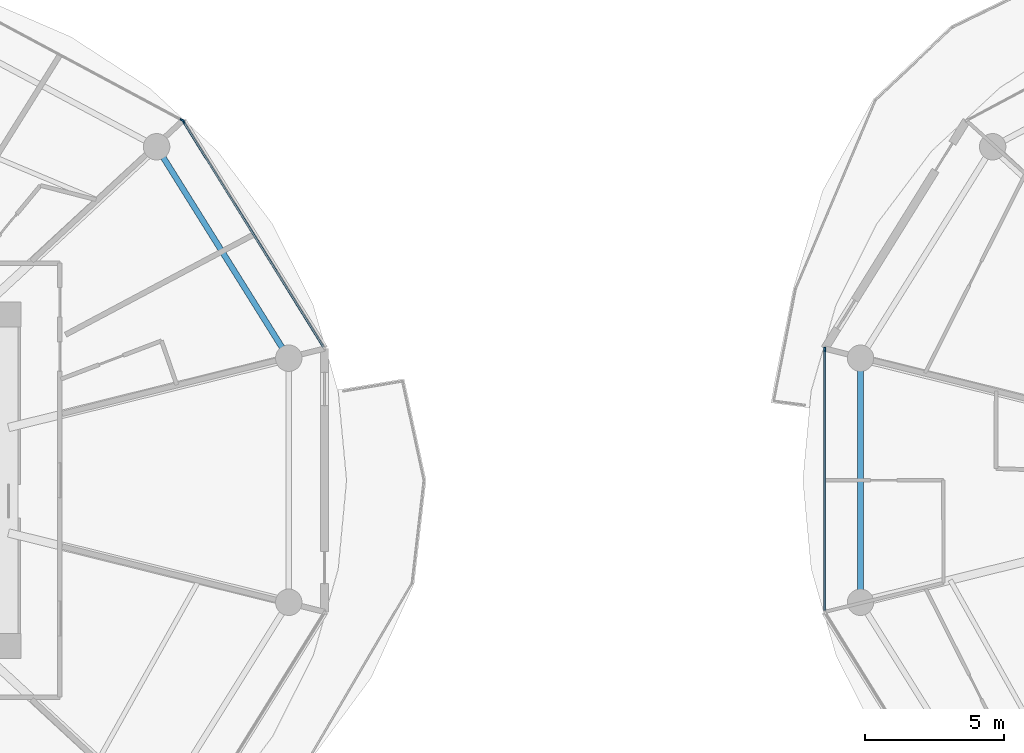
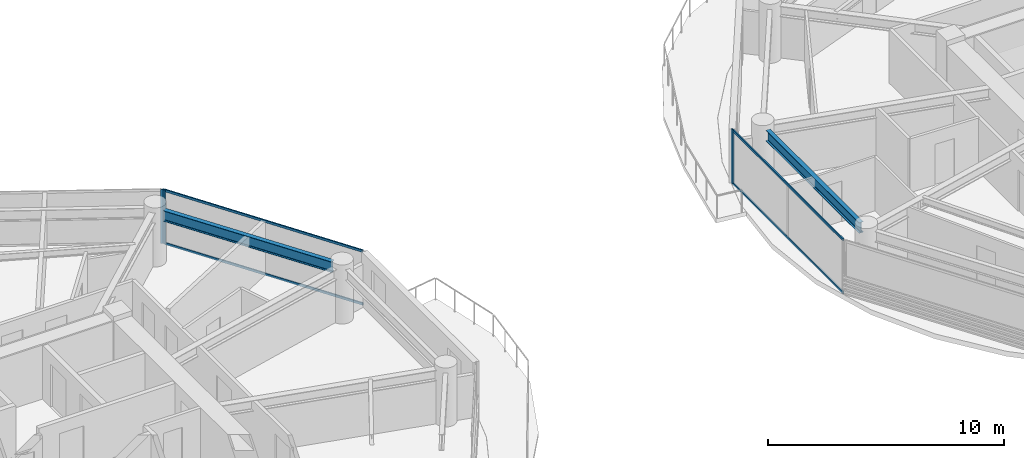
# One storey, part 7 of 27: 7 members, 2 beams, 3 elements without a shape of their own.
"""IFC4 building model written with IfcOpenShell, lengths in metres."""

from ifc_helpers import new_model, si_unit, direction, frame, origin, origin_2d, place, context, subcontext, project, spatial, rectangle, i_section, extrude, source, transform, mapped, material, layer, layer_set, material_profile, profile_set, type_object, type_shapes, element, aggregate, save


model = new_model("IFC4")

# Units and contexts
model_context = context("Model", 3, precision=1e-05, world=origin(), true_north=direction((0.0, 1.0)))
body_context = subcontext(model_context, "Body", "Model", "MODEL_VIEW")
ifc_project = project(units=[si_unit("LENGTHUNIT", "METRE"), si_unit("AREAUNIT", "SQUARE_METRE"), si_unit("VOLUMEUNIT", "CUBIC_METRE"), si_unit("PLANEANGLEUNIT", "RADIAN"), si_unit("MASSUNIT", "GRAM", prefix="KILO")], contexts=[model_context])

# Site, building, storey
site_placement = place(None, origin())
site = spatial("IfcSite", under=ifc_project, at=site_placement, CompositionType="ELEMENT")
building_placement = place(site_placement, origin())
building = spatial("IfcBuilding", under=site, at=building_placement, Name="Norrkilde Senior Care Towers", CompositionType="ELEMENT")
storey_placement = place(building_placement, frame((0.0, 0.0, 61.25)))
storey = spatial("IfcBuildingStorey", under=building, at=storey_placement, Name="L18", CompositionType="ELEMENT", Elevation=61.25)

# Beams
ifc_material_1 = material(Name="Steel S355", Category="steel")
ifc_material_profile_1 = material_profile(ifc_material_1, i_section(OverallWidth=0.2099609375, OverallDepth=0.550048828125, WebThickness=0.010986328125, FlangeThickness=0.01708984375, FilletRadius=0.02392578125, at=origin_2d()), Name="IPE 550")
ifc_profile_set_1 = profile_set([ifc_material_profile_1], Name="Steel S355")
beam_type = type_object("IfcBeamType", Name="Perimeter Ring Spandrel Z1 IPE550", PredefinedType="SPANDREL", material=ifc_profile_set_1)
shared_shape_1 = source(origin(), body_context, "Body", "SweptSolid", [
    extrude(i_section(OverallWidth=0.2099609375, OverallDepth=0.550048828125, WebThickness=0.010986328125, FlangeThickness=0.01708984375, FilletRadius=0.02392578125, at=origin_2d()), origin(), (0.0, 0.0, 1.0), 8.090576171875),
])
beam_1_placement = place(storey_placement, frame((-10.505859375, 4.755859375, 2.514892578125), z_axis=(-0.530004364821, 0.84799491347, 0.0), x_axis=(-0.84799491347, -0.530004364821, 0.0)))
element("IfcBeam", 1, at=beam_1_placement, inside=storey, type_object=beam_type, Name="L18 Drum W Perimeter Spandrel 01", PredefinedType="SPANDREL", context=body_context, shape_type="MappedRepresentation", body=[
    mapped(shared_shape_1, transform((0.0, 0.0, 0.0), x_axis=(1.0, 0.0, 0.0), y_axis=(0.0, 1.0, 0.0), z_axis=(0.0, 0.0, 1.0), scale=1.0)),
])
shared_shape_2 = source(origin(), body_context, "Body", "SweptSolid", [
    extrude(i_section(OverallWidth=0.2099609375, OverallDepth=0.550048828125, WebThickness=0.010986328125, FlangeThickness=0.01708984375, FilletRadius=0.02392578125, at=origin_2d()), origin(), (0.0, 0.0, 1.0), 7.90380859375),
])
type_shapes(beam_type, [shared_shape_1, shared_shape_2])
beam_2_placement = place(storey_placement, frame((10.275146484375, 3.951904296875, 2.514892578125), z_axis=(0.0, -1.0, 0.0), x_axis=(1.0, 0.0, 0.0)))
element("IfcBeam", 2, at=beam_2_placement, inside=storey, type_object=beam_type, Name="L18 Drum E Perimeter Spandrel 06", PredefinedType="SPANDREL", context=body_context, shape_type="MappedRepresentation", body=[
    mapped(shared_shape_2, transform((0.0, 0.0, 0.0), x_axis=(1.0, 0.0, 0.0), y_axis=(0.0, 1.0, 0.0), z_axis=(0.0, 0.0, 1.0), scale=1.0)),
])

# Curtain wall, member
ifc_material_2 = material(Name="Triple Low-E Insulated Glazing", Category="glass")
ifc_layer = layer(ifc_material_2, 0.199951171875)
ifc_layer_set = layer_set([ifc_layer], Name="Triple Low-E Insulated Glazing")
curtain_wall_type = type_object("IfcCurtainWallType", Name="CW2 Zone 1 Memory Care Curtain Wall", PredefinedType="NOTDEFINED", material=ifc_layer_set)
curtain_wall_1_placement = place(storey_placement, origin())
curtain_wall_1 = element("IfcCurtainWall", 3, at=curtain_wall_1_placement, inside=storey, type_object=curtain_wall_type, Name="L18 Drum W Curtain Wall 00", PredefinedType="NOTDEFINED")
ifc_material_3 = material(Name="Anodised Aluminium", Category="aluminium")
ifc_material_profile_2 = material_profile(ifc_material_3, rectangle(XDim=0.06494140625, YDim=0.159912109375, at=origin_2d()), Name="ALU MULL 65x160")
ifc_profile_set_2 = profile_set([ifc_material_profile_2], Name="Anodised Aluminium")
member_type_1 = type_object("IfcMemberType", Name="Curtain Wall Mullion Z1-Z2 65x160", PredefinedType="MULLION", material=ifc_profile_set_2)
shared_shape_3 = source(origin(), body_context, "Body", "SweptSolid", [
    extrude(rectangle(XDim=0.06494140625, YDim=0.159912109375, at=origin_2d()), origin(), (0.0, 0.0, 1.0), 2.7900390625),
])
type_shapes(member_type_1, [shared_shape_3])
member_1_placement = place(storey_placement, frame((-14.06689453125, 12.898193359375, 0.0), z_axis=(0.0, 0.0, 1.0), x_axis=(0.849305943117, 0.527900951871, 0.0)))
member_1 = element("IfcMember", 4, at=member_1_placement, type_object=member_type_1, Name="CW-2 mullion 1", PredefinedType="MULLION", context=body_context, shape_type="MappedRepresentation", body=[
    mapped(shared_shape_3, transform((0.0, 0.0, 0.0), x_axis=(1.0, 0.0, 0.0), y_axis=(0.0, 1.0, 0.0), z_axis=(0.0, 0.0, 1.0), scale=1.0)),
])

curtain_wall_2_placement = place(storey_placement, origin())
curtain_wall_2 = element("IfcCurtainWall", 5, at=curtain_wall_2_placement, inside=storey, type_object=curtain_wall_type, Name="L18 Drum W Curtain Wall 01", PredefinedType="NOTDEFINED")
member_2_placement = place(storey_placement, frame((-14.11279296875, 12.941162109375, 0.0), z_axis=(0.0, 0.0, 1.0), x_axis=(0.472607802456, 0.881272866403, 0.0)))
member_2 = element("IfcMember", 6, at=member_2_placement, type_object=member_type_1, Name="CW-2 mullion 2", PredefinedType="MULLION", context=body_context, shape_type="MappedRepresentation", body=[
    mapped(shared_shape_3, transform((0.0, 0.0, 0.0), x_axis=(1.0, 0.0, 0.0), y_axis=(0.0, 1.0, 0.0), z_axis=(0.0, 0.0, 1.0), scale=1.0)),
])
aggregate(curtain_wall_2, [member_2])

curtain_wall_3_placement = place(storey_placement, origin())
curtain_wall_3 = element("IfcCurtainWall", 7, at=curtain_wall_3_placement, inside=storey, type_object=curtain_wall_type, Name="L18 Drum E Curtain Wall 05", PredefinedType="NOTDEFINED")
member_3_placement = place(storey_placement, frame((8.990478515625, 4.69873046875, 0.0), z_axis=(0.0, 0.0, 1.0), x_axis=(-1.0, 0.0, 0.0)))
member_3 = element("IfcMember", 8, at=member_3_placement, type_object=member_type_1, Name="CW-2 mullion 2", PredefinedType="MULLION", context=body_context, shape_type="MappedRepresentation", body=[
    mapped(shared_shape_3, transform((0.0, 0.0, 0.0), x_axis=(1.0, 0.0, 0.0), y_axis=(0.0, 1.0, 0.0), z_axis=(0.0, 0.0, 1.0), scale=1.0)),
])

# Member
ifc_material_profile_3 = material_profile(ifc_material_3, rectangle(XDim=0.06005859375, YDim=0.1201171875, at=origin_2d()), Name="ALU TRAN 60x120")
ifc_profile_set_3 = profile_set([ifc_material_profile_3], Name="Anodised Aluminium")
member_type_2 = type_object("IfcMemberType", Name="Curtain Wall Transom Typical 60x120", PredefinedType="USERDEFINED", material=ifc_profile_set_3)
shared_shape_4 = source(origin(), body_context, "Body", "SweptSolid", [
    extrude(rectangle(XDim=0.06005859375, YDim=0.1201171875, at=origin_2d()), origin(), (0.0, 0.0, 1.0), 9.5185546875),
])
member_4_placement = place(storey_placement, frame((-14.0498046875, 12.87060546875, 0.030029296875), z_axis=(0.527901620669, -0.849305527413, 0.0), x_axis=(0.849305527413, 0.527901620669, 0.0)))
member_4 = element("IfcMember", 9, at=member_4_placement, type_object=member_type_2, Name="CW-2 transom 1.1", ObjectType="TRANSOM", PredefinedType="USERDEFINED", context=body_context, shape_type="MappedRepresentation", body=[
    mapped(shared_shape_4, transform((0.0, 0.0, 0.0), x_axis=(1.0, 0.0, 0.0), y_axis=(0.0, 1.0, 0.0), z_axis=(0.0, 0.0, 1.0), scale=1.0)),
])

member_5_placement = place(storey_placement, frame((-14.0498046875, 12.87060546875, 2.760009765625), z_axis=(0.527901620669, -0.849305527413, 0.0), x_axis=(0.849305527413, 0.527901620669, 0.0)))
member_5 = element("IfcMember", 10, at=member_5_placement, type_object=member_type_2, Name="CW-2 transom 1.2", ObjectType="TRANSOM", PredefinedType="USERDEFINED", context=body_context, shape_type="MappedRepresentation", body=[
    mapped(shared_shape_4, transform((0.0, 0.0, 0.0), x_axis=(1.0, 0.0, 0.0), y_axis=(0.0, 1.0, 0.0), z_axis=(0.0, 0.0, 1.0), scale=1.0)),
])

aggregate(curtain_wall_1, [member_1, member_4, member_5])

shared_shape_5 = source(origin(), body_context, "Body", "SweptSolid", [
    extrude(rectangle(XDim=0.06005859375, YDim=0.1201171875, at=origin_2d()), origin(), (0.0, 0.0, 1.0), 9.33251953125),
])
type_shapes(member_type_2, [shared_shape_4, shared_shape_5])
member_6_placement = place(storey_placement, frame((8.990478515625, -4.666259765625, 0.030029296875), z_axis=(0.0, 1.0, 0.0), x_axis=(-1.0, 0.0, 0.0)))
member_6 = element("IfcMember", 11, at=member_6_placement, type_object=member_type_2, Name="CW-2 transom 1.1", ObjectType="TRANSOM", PredefinedType="USERDEFINED", context=body_context, shape_type="MappedRepresentation", body=[
    mapped(shared_shape_5, transform((0.0, 0.0, 0.0), x_axis=(1.0, 0.0, 0.0), y_axis=(0.0, 1.0, 0.0), z_axis=(0.0, 0.0, 1.0), scale=1.0)),
])

member_7_placement = place(storey_placement, frame((8.990478515625, -4.666259765625, 2.760009765625), z_axis=(0.0, 1.0, 0.0), x_axis=(-1.0, 0.0, 0.0)))
member_7 = element("IfcMember", 12, at=member_7_placement, type_object=member_type_2, Name="CW-2 transom 1.2", ObjectType="TRANSOM", PredefinedType="USERDEFINED", context=body_context, shape_type="MappedRepresentation", body=[
    mapped(shared_shape_5, transform((0.0, 0.0, 0.0), x_axis=(1.0, 0.0, 0.0), y_axis=(0.0, 1.0, 0.0), z_axis=(0.0, 0.0, 1.0), scale=1.0)),
])

aggregate(curtain_wall_3, [member_3, member_6, member_7])

save(model, "model.ifc")
